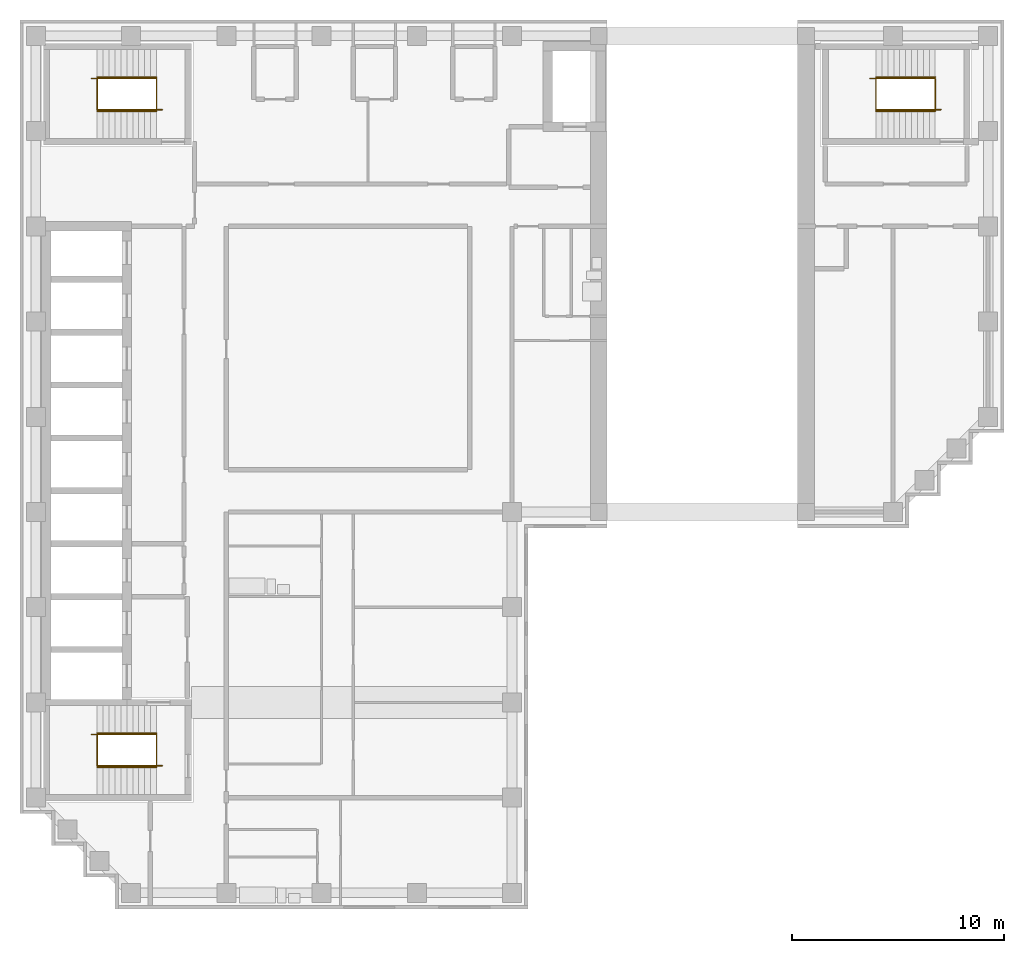
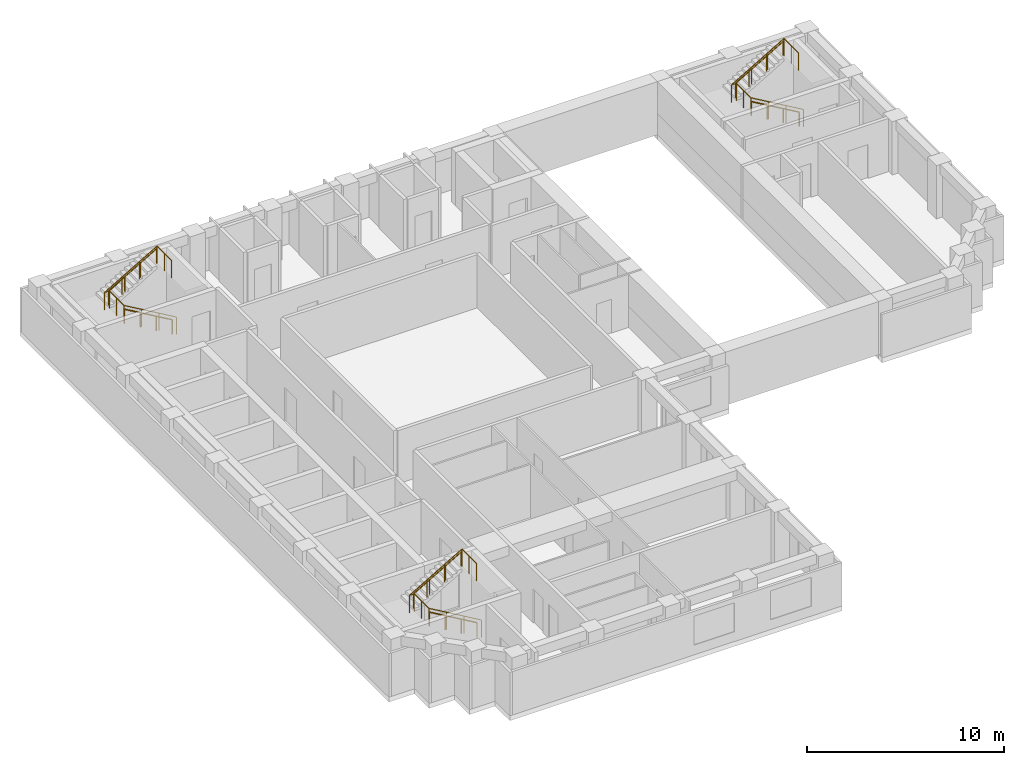
# One storey, part 6 of 7: 9 railings.
"""IFC4 building model written with IfcOpenShell, lengths in metres."""

import ifcopenshell
import ifcopenshell.guid

model = None  # the IFC model being written
_history = None  # IfcOwnerHistory: only IFC2X3 demands one
_inside = {}  # id of a spatial element -> (the spatial element, [elements in it])
_under = {}  # id of a project, library or spatial element -> (it, [spatial elements below it])
_declared = {}  # id of a project -> (the project, [libraries it declares])
_typed = {}  # id of a type object -> (the type object, [elements of that type])
_made_of = {}  # id of a material, layer set ... -> (it, [elements and type objects made of it])


def new_model(schema):
    """Start an empty IFC model of exactly this schema.

    Asked for "IFC4X3", IfcOpenShell would pick the latest addendum, in which some entities
    have other attributes; the version numbers below select the first issue.
    IFC2X3 requires an IfcOwnerHistory on every rooted entity: one is made here for all.
    """
    global model, _history
    if schema == "IFC4X3":
        model = ifcopenshell.file(schema_version=(4, 3, 0, 0))
    else:
        model = ifcopenshell.file(schema=schema)
    _inside.clear()
    _under.clear()
    _declared.clear()
    _typed.clear()
    _made_of.clear()
    _history = None
    if model.schema == "IFC2X3":
        org = make("IfcOrganization", Name="unknown")
        user = make(
            "IfcPersonAndOrganization",
            ThePerson=make("IfcPerson", FamilyName="unknown"),
            TheOrganization=org,
        )
        app = make(
            "IfcApplication",
            ApplicationDeveloper=org,
            Version="unknown",
            ApplicationFullName="unknown",
            ApplicationIdentifier="unknown",
        )
        _history = make(
            "IfcOwnerHistory",
            OwningUser=user,
            OwningApplication=app,
            ChangeAction="ADDED",
            CreationDate=0,
        )
    return model


def make(cls, **values):
    """One entity of the class cls with the attributes given. An attribute that is None is left unset."""
    return model.create_entity(
        cls, **{name: value for name, value in values.items() if value is not None}
    )


def rooted(cls, **values):
    """An entity with a GlobalId (a new one), such as an element, a storey or a relation."""
    return make(cls, GlobalId=ifcopenshell.guid.new(), OwnerHistory=_history, **values)


def si_unit(unit_type, name, prefix=None):
    """IfcSIUnit, for example si_unit("LENGTHUNIT", "METRE", prefix="MILLI")."""
    return make("IfcSIUnit", UnitType=unit_type, Prefix=prefix, Name=name)


def assignment(units):
    """IfcUnitAssignment: the units of a project."""
    return None if units is None else make("IfcUnitAssignment", Units=units)


def point(xyz):
    """IfcCartesianPoint."""
    return None if xyz is None else make("IfcCartesianPoint", Coordinates=xyz)


def direction(xyz):
    """IfcDirection."""
    return None if xyz is None else make("IfcDirection", DirectionRatios=xyz)


def frame(location, z_axis=None, x_axis=None):
    """IfcAxis2Placement3D, a coordinate frame: its origin and axes. An axis left out is left unset."""
    return make(
        "IfcAxis2Placement3D",
        Location=point(location),
        Axis=direction(z_axis),
        RefDirection=direction(x_axis),
    )


def frame_2d(location, x_axis=None):
    """IfcAxis2Placement2D, a coordinate frame in the plane: its origin and x axis."""
    return make(
        "IfcAxis2Placement2D", Location=point(location), RefDirection=direction(x_axis)
    )


def origin():
    """The frame at (0, 0, 0) with its axes left unset."""
    return frame((0.0, 0.0, 0.0))


def origin_2d():
    """The frame at (0, 0) in the plane with its x axis left unset."""
    return frame_2d((0.0, 0.0))


def place(relative_to, where):
    """IfcLocalPlacement: puts the frame where relative to a parent placement (None: the world)."""
    return make(
        "IfcLocalPlacement", PlacementRelTo=relative_to, RelativePlacement=where
    )


def context(
    kind, dimensions, precision=None, world=None, true_north=None, identifier=None
):
    """IfcGeometricRepresentationContext, for example the 3D "Model" context."""
    return make(
        "IfcGeometricRepresentationContext",
        ContextIdentifier=identifier,
        ContextType=kind,
        CoordinateSpaceDimension=dimensions,
        Precision=precision,
        WorldCoordinateSystem=world,
        TrueNorth=true_north,
    )


def subcontext(parent, identifier, kind, view, scale=None):
    """IfcGeometricRepresentationSubContext, for example "Body" below "Model"."""
    return make(
        "IfcGeometricRepresentationSubContext",
        ContextIdentifier=identifier,
        ContextType=kind,
        ParentContext=parent,
        TargetScale=scale,
        TargetView=view,
    )


def project(units=None, contexts=None):
    """IfcProject with its units and contexts."""
    return rooted(
        "IfcProject",
        Name="project",
        RepresentationContexts=contexts,
        UnitsInContext=assignment(units),
    )


def spatial(cls, under=None, at=None, **own):
    """A site, building, storey or space (cls), placed at a placement, below another one or the project."""
    s = rooted(cls, ObjectPlacement=at, **own)
    if under is not None:
        _under.setdefault(under.id(), (under, []))[1].append(s)
    return s


def profile(cls, at=None, kind="AREA", **sizes):
    """A parametric profile (cls). Its sizes go by their IFC names, for example OverallWidth=200.0."""
    return make(cls, ProfileType=kind, Position=at, **sizes)


def circle(**sizes):
    """IfcCircleProfileDef."""
    return profile("IfcCircleProfileDef", **sizes)


def extrude(swept, where, along, depth):
    """IfcExtrudedAreaSolid: the profile swept, set in the frame where, extruded along a direction by depth."""
    return make(
        "IfcExtrudedAreaSolid",
        SweptArea=swept,
        Position=where,
        ExtrudedDirection=direction(along),
        Depth=depth,
    )


def shape(context_of_items, identifier, shape_type, items):
    """IfcShapeRepresentation: the items that make up one representation, for example the "Body"."""
    return make(
        "IfcShapeRepresentation",
        ContextOfItems=context_of_items,
        RepresentationIdentifier=identifier,
        RepresentationType=shape_type,
        Items=items,
    )


def material(Name=None, Category=None):
    """IfcMaterial."""
    return make("IfcMaterial", Name=Name, Category=Category)


def made_of(thing, what):
    """Note that an element or type object is made of a material, layer set ...; save() writes the relation."""
    if what is not None:
        _made_of.setdefault(what.id(), (what, []))[1].append(thing)
    return thing


def type_object(cls, material=None, **own):
    """A type object (cls), such as IfcWallType, which elements share."""
    return made_of(rooted(cls, **own), material)


def element(
    cls,
    number,
    at=None,
    inside=None,
    cuts=None,
    type_object=None,
    material=None,
    context=None,
    identifier="Body",
    shape_type=None,
    held_by="IfcProductDefinitionShape",
    body=None,
    shapes=None,
    **own,
):
    """One element of the class cls, such as IfcWall. Its Tag is "e" and its number.

    at: its placement. inside: the storey or other place that contains it. cuts: it is an
    opening in that element (IfcRelVoidsElement). A single representation is given by context,
    identifier, shape_type and body (its items); several are given by shapes. held_by: the class
    of the entity that holds the representations. save() writes the other relations.
    """
    e = rooted(cls, Tag="e%d" % number, ObjectPlacement=at, **own)
    if body is not None:
        shapes = [shape(context, identifier, shape_type, body)]
    if shapes is not None:
        e.Representation = make(held_by, Representations=shapes)
    if inside is not None:
        _inside.setdefault(inside.id(), (inside, []))[1].append(e)
    if cuts is not None:
        rooted(
            "IfcRelVoidsElement", RelatingBuildingElement=cuts, RelatedOpeningElement=e
        )
    if type_object is not None:
        _typed.setdefault(type_object.id(), (type_object, []))[1].append(e)
    return made_of(e, material)


def aggregate(whole, parts):
    """IfcRelAggregates: a whole, such as a stair, and the parts it consists of."""
    return rooted("IfcRelAggregates", RelatingObject=whole, RelatedObjects=parts)


def save(model, path):
    """Write the relations noted so far, then the file.

    IfcRelAggregates (storeys below a building ...), IfcRelContainedInSpatialStructure (elements
    in a storey), IfcRelDefinesByType, IfcRelAssociatesMaterial and IfcRelDeclares: one each for
    every whole, place, type object, material and project.
    """
    for whole, parts in _under.values():
        aggregate(whole, parts)
    for where, things in _inside.values():
        rooted(
            "IfcRelContainedInSpatialStructure",
            RelatedElements=things,
            RelatingStructure=where,
        )
    for kind, things in _typed.values():
        rooted("IfcRelDefinesByType", RelatedObjects=things, RelatingType=kind)
    for what, things in _made_of.values():
        rooted("IfcRelAssociatesMaterial", RelatedObjects=things, RelatingMaterial=what)
    for by, libraries in _declared.values():
        rooted("IfcRelDeclares", RelatingContext=by, RelatedDefinitions=libraries)
    model.write(path)


model = new_model("IFC4")

# Units and contexts
model_context = context("Model", 3, precision=1e-05, world=origin(), true_north=direction((0.0, 1.0)))
body_context = subcontext(model_context, "Body", "Model", "MODEL_VIEW")
ifc_project = project(units=[si_unit("LENGTHUNIT", "METRE"), si_unit("AREAUNIT", "SQUARE_METRE"), si_unit("VOLUMEUNIT", "CUBIC_METRE"), si_unit("PLANEANGLEUNIT", "RADIAN"), si_unit("MASSUNIT", "GRAM", prefix="KILO")], contexts=[model_context])

# Site, building, storey
site_placement = place(None, origin())
site = spatial("IfcSite", under=ifc_project, at=site_placement, CompositionType="ELEMENT")
building_placement = place(site_placement, origin())
building = spatial("IfcBuilding", under=site, at=building_placement, Name="Firuza Court", CompositionType="ELEMENT")
storey_placement = place(building_placement, frame((0.0, 0.0, 247.39990234375)))
storey = spatial("IfcBuildingStorey", under=building, at=storey_placement, Name="L64", CompositionType="ELEMENT", Elevation=247.39990234375)

# Railings
ifc_material_1 = material(Name="Steel S355", Category="steel")
railing_type_1 = type_object("IfcRailingType", Name="Handrail 900", PredefinedType="HANDRAIL", material=ifc_material_1)
railing_1_placement = place(storey_placement, frame((42.5, 54.949951171875, 0.163818359375)))
element("IfcRailing", 1, at=railing_1_placement, inside=storey, type_object=railing_type_1, Name="Handrail S1 flight 1", PredefinedType="HANDRAIL", context=body_context, shape_type="SweptSolid", body=[
    extrude(circle(Radius=0.02490234375, at=origin_2d()), frame((0.0, 0.0, 0.875), z_axis=(-0.863393664356, 0.0, 0.504530851732), x_axis=(0.0, -1.0, 0.0)), (0.0, 0.0, 1.0), 3.2431640625),
    extrude(circle(Radius=0.02001953125, at=origin_2d()), origin(), (0.0, 0.0, 1.0), 0.849853515625),
    extrude(circle(Radius=0.02001953125, at=origin_2d()), frame((-0.933349609375, 0.0, 0.54541015625)), (0.0, 0.0, 1.0), 0.849853515625),
    extrude(circle(Radius=0.02001953125, at=origin_2d()), frame((-1.86669921875, 0.0, 1.0908203125)), (0.0, 0.0, 1.0), 0.849853515625),
    extrude(circle(Radius=0.02001953125, at=origin_2d()), frame((-2.800048828125, 0.0, 1.63623046875)), (0.0, 0.0, 1.0), 0.849853515625),
])
railing_2_placement = place(storey_placement, frame((39.699951171875, 56.550048828125, 1.963623046875)))
element("IfcRailing", 2, at=railing_2_placement, inside=storey, type_object=railing_type_1, Name="Handrail S1 flight 2", PredefinedType="HANDRAIL", context=body_context, shape_type="SweptSolid", body=[
    extrude(circle(Radius=0.02490234375, at=origin_2d()), frame((0.0, 0.0, 0.875), z_axis=(0.863360870873, 0.0, 0.504586966384), x_axis=(0.0, 1.0, 0.0)), (0.0, 0.0, 1.0), 3.2431640625),
    extrude(circle(Radius=0.02001953125, at=origin_2d()), origin(), (0.0, 0.0, 1.0), 0.849853515625),
    extrude(circle(Radius=0.02001953125, at=origin_2d()), frame((0.933349609375, 0.0, 0.54541015625)), (0.0, 0.0, 1.0), 0.849853515625),
    extrude(circle(Radius=0.02001953125, at=origin_2d()), frame((1.86669921875, 0.0, 1.091064453125)), (0.0, 0.0, 1.0), 0.849853515625),
    extrude(circle(Radius=0.02001953125, at=origin_2d()), frame((2.800048828125, 0.0, 1.636474609375)), (0.0, 0.0, 1.0), 0.849853515625),
])
railing_3_placement = place(storey_placement, frame((5.699951171875, 23.949951171875, 0.163818359375)))
element("IfcRailing", 3, at=railing_3_placement, inside=storey, type_object=railing_type_1, Name="Handrail S2 flight 1", PredefinedType="HANDRAIL", context=body_context, shape_type="SweptSolid", body=[
    extrude(circle(Radius=0.02490234375, at=origin_2d()), frame((0.0, 0.0, 0.875), z_axis=(-0.863393664356, 0.0, 0.504530851732), x_axis=(0.0, -1.0, 0.0)), (0.0, 0.0, 1.0), 3.2431640625),
    extrude(circle(Radius=0.02001953125, at=origin_2d()), origin(), (0.0, 0.0, 1.0), 0.849853515625),
    extrude(circle(Radius=0.02001953125, at=origin_2d()), frame((-0.933349609375, 0.0, 0.54541015625)), (0.0, 0.0, 1.0), 0.849853515625),
    extrude(circle(Radius=0.02001953125, at=origin_2d()), frame((-1.86669921875, 0.0, 1.0908203125)), (0.0, 0.0, 1.0), 0.849853515625),
    extrude(circle(Radius=0.02001953125, at=origin_2d()), frame((-2.800048828125, 0.0, 1.63623046875)), (0.0, 0.0, 1.0), 0.849853515625),
])
railing_4_placement = place(storey_placement, frame((2.89990234375, 25.550048828125, 1.963623046875)))
element("IfcRailing", 4, at=railing_4_placement, inside=storey, type_object=railing_type_1, Name="Handrail S2 flight 2", PredefinedType="HANDRAIL", context=body_context, shape_type="SweptSolid", body=[
    extrude(circle(Radius=0.02490234375, at=origin_2d()), frame((0.0, 0.0, 0.875), z_axis=(0.863360870873, 0.0, 0.504586966384), x_axis=(0.0, 1.0, 0.0)), (0.0, 0.0, 1.0), 3.2431640625),
    extrude(circle(Radius=0.02001953125, at=origin_2d()), origin(), (0.0, 0.0, 1.0), 0.849853515625),
    extrude(circle(Radius=0.02001953125, at=origin_2d()), frame((0.933349609375, 0.0, 0.54541015625)), (0.0, 0.0, 1.0), 0.849853515625),
    extrude(circle(Radius=0.02001953125, at=origin_2d()), frame((1.86669921875, 0.0, 1.091064453125)), (0.0, 0.0, 1.0), 0.849853515625),
    extrude(circle(Radius=0.02001953125, at=origin_2d()), frame((2.800048828125, 0.0, 1.636474609375)), (0.0, 0.0, 1.0), 0.849853515625),
])
railing_5_placement = place(storey_placement, frame((5.699951171875, 54.949951171875, 0.163818359375)))
element("IfcRailing", 5, at=railing_5_placement, inside=storey, type_object=railing_type_1, Name="Handrail S3 flight 1", PredefinedType="HANDRAIL", context=body_context, shape_type="SweptSolid", body=[
    extrude(circle(Radius=0.02490234375, at=origin_2d()), frame((0.0, 0.0, 0.875), z_axis=(-0.863393664356, 0.0, 0.504530851732), x_axis=(0.0, -1.0, 0.0)), (0.0, 0.0, 1.0), 3.2431640625),
    extrude(circle(Radius=0.02001953125, at=origin_2d()), origin(), (0.0, 0.0, 1.0), 0.849853515625),
    extrude(circle(Radius=0.02001953125, at=origin_2d()), frame((-0.933349609375, 0.0, 0.54541015625)), (0.0, 0.0, 1.0), 0.849853515625),
    extrude(circle(Radius=0.02001953125, at=origin_2d()), frame((-1.86669921875, 0.0, 1.0908203125)), (0.0, 0.0, 1.0), 0.849853515625),
    extrude(circle(Radius=0.02001953125, at=origin_2d()), frame((-2.800048828125, 0.0, 1.63623046875)), (0.0, 0.0, 1.0), 0.849853515625),
])
railing_6_placement = place(storey_placement, frame((2.89990234375, 56.550048828125, 1.963623046875)))
element("IfcRailing", 6, at=railing_6_placement, inside=storey, type_object=railing_type_1, Name="Handrail S3 flight 2", PredefinedType="HANDRAIL", context=body_context, shape_type="SweptSolid", body=[
    extrude(circle(Radius=0.02490234375, at=origin_2d()), frame((0.0, 0.0, 0.875), z_axis=(0.863360870873, 0.0, 0.504586966384), x_axis=(0.0, 1.0, 0.0)), (0.0, 0.0, 1.0), 3.2431640625),
    extrude(circle(Radius=0.02001953125, at=origin_2d()), origin(), (0.0, 0.0, 1.0), 0.849853515625),
    extrude(circle(Radius=0.02001953125, at=origin_2d()), frame((0.933349609375, 0.0, 0.54541015625)), (0.0, 0.0, 1.0), 0.849853515625),
    extrude(circle(Radius=0.02001953125, at=origin_2d()), frame((1.86669921875, 0.0, 1.091064453125)), (0.0, 0.0, 1.0), 0.849853515625),
    extrude(circle(Radius=0.02001953125, at=origin_2d()), frame((2.800048828125, 0.0, 1.636474609375)), (0.0, 0.0, 1.0), 0.849853515625),
])
ifc_material_2 = material(Name="Steel S355", Category="steel")
railing_type_2 = type_object("IfcRailingType", Name="Stair guard 1100", PredefinedType="GUARDRAIL", material=ifc_material_2)
railing_7_placement = place(storey_placement, frame((42.780029296875, 55.010009765625, 0.0)))
element("IfcRailing", 7, at=railing_7_placement, inside=storey, type_object=railing_type_2, Name="Stair well guard S1", PredefinedType="GUARDRAIL", context=body_context, shape_type="SweptSolid", body=[
    extrude(circle(Radius=0.02490234375, at=origin_2d()), frame((0.0, 0.0, 1.0751953125), z_axis=(-0.863371556955, 0.0, 0.504568681787), x_axis=(0.0, -1.0, 0.0)), (0.0, 0.0, 1.0), 3.5673828125),
    extrude(circle(Radius=0.02490234375, at=origin_2d()), frame((-3.080078125, 0.0, 2.875), z_axis=(0.0, 1.0, 0.0), x_axis=(-1.0, 0.0, 0.0)), (0.0, 0.0, 1.0), 1.47998046875),
    extrude(circle(Radius=0.02490234375, at=origin_2d()), frame((-3.080078125, 1.47998046875, 2.875), z_axis=(-1.0, 0.0, 0.0), x_axis=(0.0, -1.0, 0.0)), (0.0, 0.0, 1.0), 0.280029296875),
    extrude(circle(Radius=0.02490234375, at=origin_2d()), frame((-3.360107421875, 1.47998046875, 2.875), z_axis=(0.863371556955, 0.0, 0.504568681787), x_axis=(0.0, 1.0, 0.0)), (0.0, 0.0, 1.0), 3.5673828125),
    extrude(circle(Radius=0.02490234375, at=origin_2d()), frame((-0.280029296875, 1.47998046875, 4.67529296875), z_axis=(0.0, -1.0, 0.0), x_axis=(1.0, 0.0, 0.0)), (0.0, 0.0, 1.0), 1.47998046875),
    extrude(circle(Radius=0.02490234375, at=origin_2d()), origin(), (0.0, 0.0, 1.0), 1.050048828125),
    extrude(circle(Radius=0.02490234375, at=origin_2d()), frame((-1.026611328125, 0.0, 0.60009765625)), (0.0, 0.0, 1.0), 1.050048828125),
    extrude(circle(Radius=0.02490234375, at=origin_2d()), frame((-2.053466796875, 0.0, 1.199951171875)), (0.0, 0.0, 1.0), 1.050048828125),
    extrude(circle(Radius=0.02490234375, at=origin_2d()), frame((-3.080078125, 0.0, 1.800048828125)), (0.0, 0.0, 1.0), 1.050048828125),
    extrude(circle(Radius=0.02490234375, at=origin_2d()), frame((-3.080078125, 0.739990234375, 1.800048828125)), (0.0, 0.0, 1.0), 1.050048828125),
    extrude(circle(Radius=0.02490234375, at=origin_2d()), frame((-3.080078125, 1.47998046875, 1.800048828125)), (0.0, 0.0, 1.0), 1.050048828125),
    extrude(circle(Radius=0.02490234375, at=origin_2d()), frame((-3.360107421875, 1.47998046875, 1.800048828125)), (0.0, 0.0, 1.0), 1.050048828125),
    extrude(circle(Radius=0.02490234375, at=origin_2d()), frame((-2.33349609375, 1.47998046875, 2.400146484375)), (0.0, 0.0, 1.0), 1.050048828125),
    extrude(circle(Radius=0.02490234375, at=origin_2d()), frame((-1.306640625, 1.47998046875, 3.0)), (0.0, 0.0, 1.0), 1.050048828125),
    extrude(circle(Radius=0.02490234375, at=origin_2d()), frame((-0.280029296875, 1.47998046875, 3.60009765625)), (0.0, 0.0, 1.0), 1.050048828125),
    extrude(circle(Radius=0.02490234375, at=origin_2d()), frame((-0.280029296875, 0.739990234375, 3.60009765625)), (0.0, 0.0, 1.0), 1.050048828125),
    extrude(circle(Radius=0.02490234375, at=origin_2d()), frame((-0.280029296875, 0.0, 3.60009765625)), (0.0, 0.0, 1.0), 1.050048828125),
])
railing_8_placement = place(storey_placement, frame((5.97998046875, 24.010009765625, 0.0)))
element("IfcRailing", 8, at=railing_8_placement, inside=storey, type_object=railing_type_2, Name="Stair well guard S2", PredefinedType="GUARDRAIL", context=body_context, shape_type="SweptSolid", body=[
    extrude(circle(Radius=0.02490234375, at=origin_2d()), frame((0.0, 0.0, 1.0751953125), z_axis=(-0.863371556955, 0.0, 0.504568681787), x_axis=(0.0, -1.0, 0.0)), (0.0, 0.0, 1.0), 3.5673828125),
    extrude(circle(Radius=0.02490234375, at=origin_2d()), frame((-3.080078125, 0.0, 2.875), z_axis=(0.0, 1.0, 0.0), x_axis=(-1.0, 0.0, 0.0)), (0.0, 0.0, 1.0), 1.47998046875),
    extrude(circle(Radius=0.02490234375, at=origin_2d()), frame((-3.080078125, 1.47998046875, 2.875), z_axis=(-1.0, 0.0, 0.0), x_axis=(0.0, -1.0, 0.0)), (0.0, 0.0, 1.0), 0.27978515625),
    extrude(circle(Radius=0.02490234375, at=origin_2d()), frame((-3.35986328125, 1.47998046875, 2.875), z_axis=(0.863354132664, 0.0, 0.504598495452), x_axis=(0.0, 1.0, 0.0)), (0.0, 0.0, 1.0), 3.5673828125),
    extrude(circle(Radius=0.02490234375, at=origin_2d()), frame((-0.280029296875, 1.47998046875, 4.67529296875), z_axis=(0.0, -1.0, 0.0), x_axis=(1.0, 0.0, 0.0)), (0.0, 0.0, 1.0), 1.47998046875),
    extrude(circle(Radius=0.02490234375, at=origin_2d()), origin(), (0.0, 0.0, 1.0), 1.050048828125),
    extrude(circle(Radius=0.02490234375, at=origin_2d()), frame((-1.026611328125, 0.0, 0.60009765625)), (0.0, 0.0, 1.0), 1.050048828125),
    extrude(circle(Radius=0.02490234375, at=origin_2d()), frame((-2.053466796875, 0.0, 1.199951171875)), (0.0, 0.0, 1.0), 1.050048828125),
    extrude(circle(Radius=0.02490234375, at=origin_2d()), frame((-3.080078125, 0.0, 1.800048828125)), (0.0, 0.0, 1.0), 1.050048828125),
    extrude(circle(Radius=0.02490234375, at=origin_2d()), frame((-3.080078125, 0.739990234375, 1.800048828125)), (0.0, 0.0, 1.0), 1.050048828125),
    extrude(circle(Radius=0.02490234375, at=origin_2d()), frame((-3.080078125, 1.47998046875, 1.800048828125)), (0.0, 0.0, 1.0), 1.050048828125),
    extrude(circle(Radius=0.02490234375, at=origin_2d()), frame((-3.35986328125, 1.47998046875, 1.800048828125)), (0.0, 0.0, 1.0), 1.050048828125),
    extrude(circle(Radius=0.02490234375, at=origin_2d()), frame((-2.333251953125, 1.47998046875, 2.400146484375)), (0.0, 0.0, 1.0), 1.050048828125),
    extrude(circle(Radius=0.02490234375, at=origin_2d()), frame((-1.306640625, 1.47998046875, 3.0)), (0.0, 0.0, 1.0), 1.050048828125),
    extrude(circle(Radius=0.02490234375, at=origin_2d()), frame((-0.280029296875, 1.47998046875, 3.60009765625)), (0.0, 0.0, 1.0), 1.050048828125),
    extrude(circle(Radius=0.02490234375, at=origin_2d()), frame((-0.280029296875, 0.739990234375, 3.60009765625)), (0.0, 0.0, 1.0), 1.050048828125),
    extrude(circle(Radius=0.02490234375, at=origin_2d()), frame((-0.280029296875, 0.0, 3.60009765625)), (0.0, 0.0, 1.0), 1.050048828125),
])
railing_9_placement = place(storey_placement, frame((5.97998046875, 55.010009765625, 0.0)))
element("IfcRailing", 9, at=railing_9_placement, inside=storey, type_object=railing_type_2, Name="Stair well guard S3", PredefinedType="GUARDRAIL", context=body_context, shape_type="SweptSolid", body=[
    extrude(circle(Radius=0.02490234375, at=origin_2d()), frame((0.0, 0.0, 1.0751953125), z_axis=(-0.863371556955, 0.0, 0.504568681787), x_axis=(0.0, -1.0, 0.0)), (0.0, 0.0, 1.0), 3.5673828125),
    extrude(circle(Radius=0.02490234375, at=origin_2d()), frame((-3.080078125, 0.0, 2.875), z_axis=(0.0, 1.0, 0.0), x_axis=(-1.0, 0.0, 0.0)), (0.0, 0.0, 1.0), 1.47998046875),
    extrude(circle(Radius=0.02490234375, at=origin_2d()), frame((-3.080078125, 1.47998046875, 2.875), z_axis=(-1.0, 0.0, 0.0), x_axis=(0.0, -1.0, 0.0)), (0.0, 0.0, 1.0), 0.27978515625),
    extrude(circle(Radius=0.02490234375, at=origin_2d()), frame((-3.35986328125, 1.47998046875, 2.875), z_axis=(0.863354132664, 0.0, 0.504598495452), x_axis=(0.0, 1.0, 0.0)), (0.0, 0.0, 1.0), 3.5673828125),
    extrude(circle(Radius=0.02490234375, at=origin_2d()), frame((-0.280029296875, 1.47998046875, 4.67529296875), z_axis=(0.0, -1.0, 0.0), x_axis=(1.0, 0.0, 0.0)), (0.0, 0.0, 1.0), 1.47998046875),
    extrude(circle(Radius=0.02490234375, at=origin_2d()), origin(), (0.0, 0.0, 1.0), 1.050048828125),
    extrude(circle(Radius=0.02490234375, at=origin_2d()), frame((-1.026611328125, 0.0, 0.60009765625)), (0.0, 0.0, 1.0), 1.050048828125),
    extrude(circle(Radius=0.02490234375, at=origin_2d()), frame((-2.053466796875, 0.0, 1.199951171875)), (0.0, 0.0, 1.0), 1.050048828125),
    extrude(circle(Radius=0.02490234375, at=origin_2d()), frame((-3.080078125, 0.0, 1.800048828125)), (0.0, 0.0, 1.0), 1.050048828125),
    extrude(circle(Radius=0.02490234375, at=origin_2d()), frame((-3.080078125, 0.739990234375, 1.800048828125)), (0.0, 0.0, 1.0), 1.050048828125),
    extrude(circle(Radius=0.02490234375, at=origin_2d()), frame((-3.080078125, 1.47998046875, 1.800048828125)), (0.0, 0.0, 1.0), 1.050048828125),
    extrude(circle(Radius=0.02490234375, at=origin_2d()), frame((-3.35986328125, 1.47998046875, 1.800048828125)), (0.0, 0.0, 1.0), 1.050048828125),
    extrude(circle(Radius=0.02490234375, at=origin_2d()), frame((-2.333251953125, 1.47998046875, 2.400146484375)), (0.0, 0.0, 1.0), 1.050048828125),
    extrude(circle(Radius=0.02490234375, at=origin_2d()), frame((-1.306640625, 1.47998046875, 3.0)), (0.0, 0.0, 1.0), 1.050048828125),
    extrude(circle(Radius=0.02490234375, at=origin_2d()), frame((-0.280029296875, 1.47998046875, 3.60009765625)), (0.0, 0.0, 1.0), 1.050048828125),
    extrude(circle(Radius=0.02490234375, at=origin_2d()), frame((-0.280029296875, 0.739990234375, 3.60009765625)), (0.0, 0.0, 1.0), 1.050048828125),
    extrude(circle(Radius=0.02490234375, at=origin_2d()), frame((-0.280029296875, 0.0, 3.60009765625)), (0.0, 0.0, 1.0), 1.050048828125),
])

save(model, "model.ifc")
